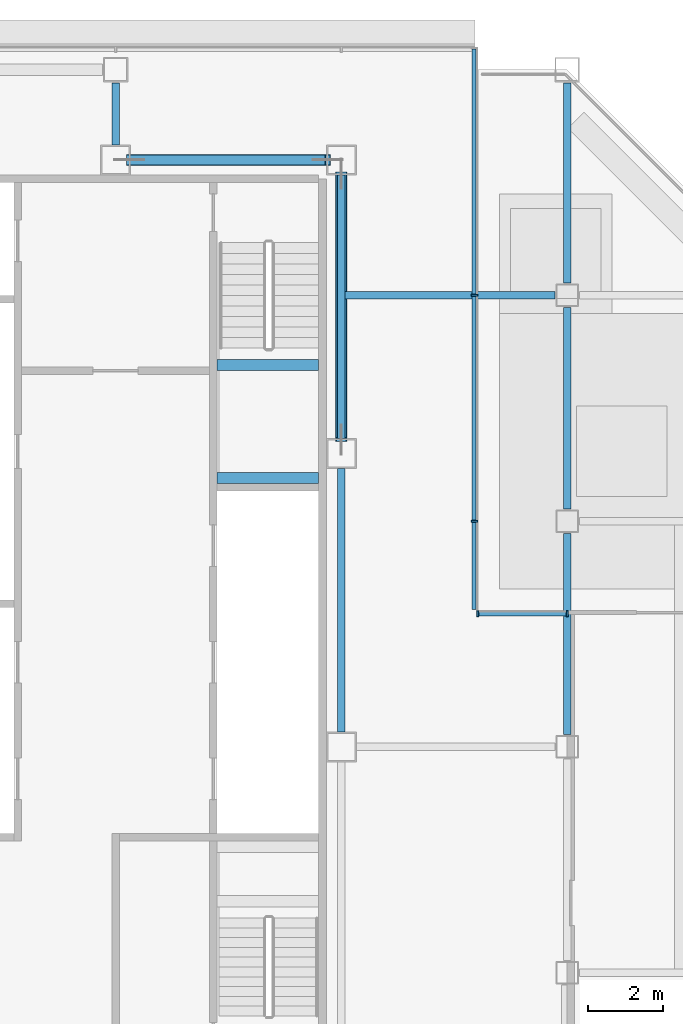
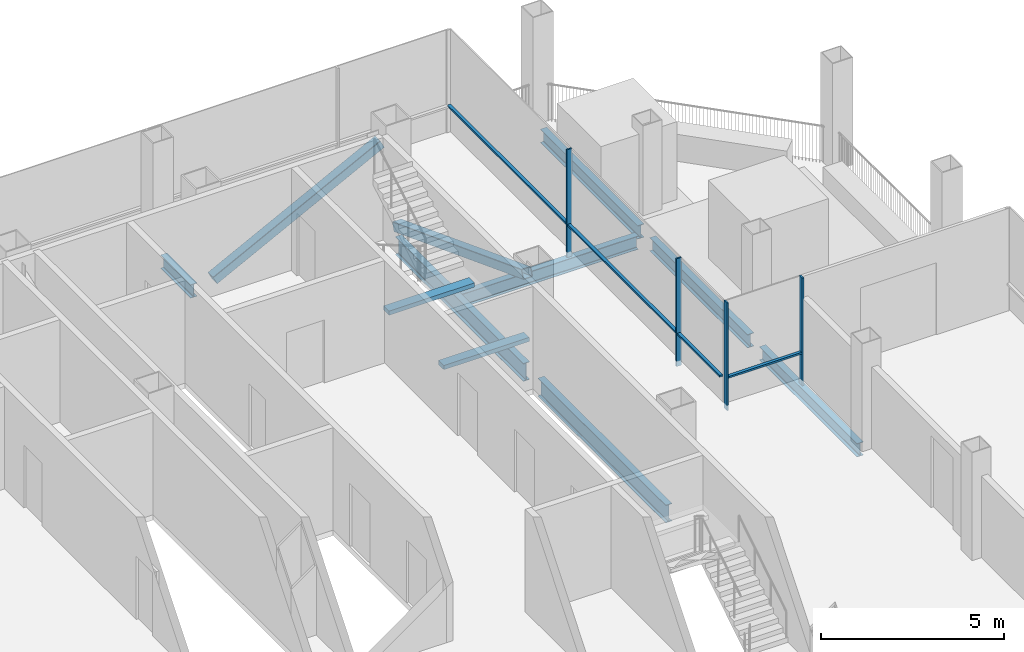
# One storey, part 14 of 29: 9 beams, 8 members, 2 elements without a shape of their own.
"""IFC4 building model written with IfcOpenShell, lengths in metres."""

from ifc_helpers import new_model, si_unit, direction, frame, origin, origin_2d, place, context, subcontext, project, spatial, rectangle, hollow_rectangle, i_section, extrude, material, material_profile, profile_set, type_object, element, aggregate, save


model = new_model("IFC4")

# Units and contexts
model_context = context("Model", 3, precision=1e-05, world=origin(), true_north=direction((0.0, 1.0)))
body_context = subcontext(model_context, "Body", "Model", "MODEL_VIEW")
ifc_project = project(units=[si_unit("LENGTHUNIT", "METRE"), si_unit("AREAUNIT", "SQUARE_METRE"), si_unit("VOLUMEUNIT", "CUBIC_METRE"), si_unit("PLANEANGLEUNIT", "RADIAN"), si_unit("MASSUNIT", "GRAM", prefix="KILO")], contexts=[model_context])

# Site, building, storey
site_placement = place(None, origin())
site = spatial("IfcSite", under=ifc_project, at=site_placement, CompositionType="ELEMENT")
building_placement = place(site_placement, origin())
building = spatial("IfcBuilding", under=site, at=building_placement, Name="Sorahane Residences", CompositionType="ELEMENT")
storey_placement = place(building_placement, frame((0.0, 0.0, 199.199951171875)))
storey = spatial("IfcBuildingStorey", under=building, at=storey_placement, Name="L46", CompositionType="ELEMENT", Elevation=199.199951171875)

# Members
ifc_material_1 = material(Name="Steel Q355B", Category="steel")
ifc_material_profile_1 = material_profile(ifc_material_1, hollow_rectangle(XDim=0.300048828125, YDim=0.300048828125, WallThickness=0.01611328125, InnerFilletRadius=0.008056640625, OuterFilletRadius=0.02392578125, at=origin_2d()), Name="RHS 300x300x16")
ifc_profile_set_1 = profile_set([ifc_material_profile_1], Name="Steel Q355B")
member_type_1 = type_object("IfcMemberType", Name="Core brace RHS 300x300x16 Q355B", PredefinedType="BRACE", material=ifc_profile_set_1)
member_1_placement = place(storey_placement, frame((36.35888671875, 45.60009765625, 0.12890625), z_axis=(0.889590046837, 0.0, 0.45675983686), x_axis=(0.0, 1.0, 0.0)))
element("IfcMember", 1, at=member_1_placement, inside=storey, type_object=member_type_1, Name="Core brace L46 y45.6-6", PredefinedType="BRACE", context=body_context, shape_type="SweptSolid", body=[
    extrude(hollow_rectangle(XDim=0.300048828125, YDim=0.300048828125, WallThickness=0.01611328125, InnerFilletRadius=0.008056640625, OuterFilletRadius=0.02392578125, at=origin_2d()), origin(), (0.0, 0.0, 1.0), 5.937744140625),
])
member_2_placement = place(storey_placement, frame((42.0, 45.232177734375, 0.1376953125), z_axis=(0.0, -0.934335722983, 0.356394103147), x_axis=(1.0, 0.0, 0.0)))
element("IfcMember", 2, at=member_2_placement, inside=storey, type_object=member_type_1, Name="Core brace L46 x42-3", PredefinedType="BRACE", context=body_context, shape_type="SweptSolid", body=[
    extrude(hollow_rectangle(XDim=0.300048828125, YDim=0.300048828125, WallThickness=0.01611328125, InnerFilletRadius=0.008056640625, OuterFilletRadius=0.02392578125, at=origin_2d()), origin(), (0.0, 0.0, 1.0), 7.560791015625),
])

# Curtain wall, members
ifc_material_2 = material(Name="Dark low-e glass and black anodised aluminium", Category="aluminium")
curtain_wall_type = type_object("IfcCurtainWallType", Name="Curtain wall CW-1 Typical unitised wall", PredefinedType="NOTDEFINED", material=ifc_material_2)
curtain_wall_1_placement = place(storey_placement, origin())
curtain_wall_1 = element("IfcCurtainWall", 3, at=curtain_wall_1_placement, inside=storey, type_object=curtain_wall_type, Name="CW-1 curtain wall L46 N1", PredefinedType="NOTDEFINED")
ifc_material_3 = material(Name="Black anodised aluminium", Category="aluminium")
ifc_material_profile_2 = material_profile(ifc_material_3, rectangle(XDim=0.159912109375, YDim=0.050048828125, at=origin_2d()), Name="Curtain wall mullion CW-1 black anodised aluminium 50x160")
ifc_profile_set_2 = profile_set([ifc_material_profile_2], Name="Black anodised aluminium")
member_type_2 = type_object("IfcMemberType", Name="Curtain wall mullion CW-1 black anodised aluminium 50x160", PredefinedType="MULLION", material=ifc_profile_set_2)
member_3_placement = place(storey_placement, frame((48.0, 33.5400390625, -0.179931640625), z_axis=(0.0, 0.0, 1.0), x_axis=(0.0, 1.0, 0.0)))
member_3 = element("IfcMember", 4, at=member_3_placement, type_object=member_type_2, Name="CW-1 mullion L46 N1.2", PredefinedType="MULLION", context=body_context, shape_type="SweptSolid", body=[
    extrude(rectangle(XDim=0.159912109375, YDim=0.050048828125, at=origin_2d()), origin(), (0.0, 0.0, 1.0), 3.60009765625),
])
member_4_placement = place(storey_placement, frame((45.625, 33.5400390625, -0.179931640625), z_axis=(0.0, 0.0, 1.0), x_axis=(0.0, 1.0, 0.0)))
member_4 = element("IfcMember", 5, at=member_4_placement, type_object=member_type_2, Name="CW-1 mullion L46 N1.3", PredefinedType="MULLION", context=body_context, shape_type="SweptSolid", body=[
    extrude(rectangle(XDim=0.159912109375, YDim=0.050048828125, at=origin_2d()), origin(), (0.0, 0.0, 1.0), 3.60009765625),
])

curtain_wall_2_placement = place(storey_placement, origin())
curtain_wall_2 = element("IfcCurtainWall", 6, at=curtain_wall_2_placement, inside=storey, type_object=curtain_wall_type, Name="CW-1 curtain wall L46 E2", PredefinedType="NOTDEFINED")
member_5_placement = place(storey_placement, frame((45.5400390625, 36.0, -0.179931640625), z_axis=(0.0, 0.0, 1.0), x_axis=(1.0, 0.0, 0.0)))
member_5 = element("IfcMember", 7, at=member_5_placement, type_object=member_type_2, Name="CW-1 mullion L46 E2.2", PredefinedType="MULLION", context=body_context, shape_type="SweptSolid", body=[
    extrude(rectangle(XDim=0.159912109375, YDim=0.050048828125, at=origin_2d()), origin(), (0.0, 0.0, 1.0), 3.60009765625),
])
member_6_placement = place(storey_placement, frame((45.5400390625, 42.0, -0.179931640625), z_axis=(0.0, 0.0, 1.0), x_axis=(1.0, 0.0, 0.0)))
member_6 = element("IfcMember", 8, at=member_6_placement, type_object=member_type_2, Name="CW-1 mullion L46 E2.3", PredefinedType="MULLION", context=body_context, shape_type="SweptSolid", body=[
    extrude(rectangle(XDim=0.159912109375, YDim=0.050048828125, at=origin_2d()), origin(), (0.0, 0.0, 1.0), 3.60009765625),
])

# Member
ifc_material_4 = material(Name="Black anodised aluminium", Category="aluminium")
ifc_material_profile_3 = material_profile(ifc_material_4, rectangle(XDim=0.10009765625, YDim=0.06005859375, at=origin_2d()), Name="Curtain wall transom CW-1 black anodised aluminium 60x100")
ifc_profile_set_3 = profile_set([ifc_material_profile_3], Name="Black anodised aluminium")
member_type_3 = type_object("IfcMemberType", Name="Curtain wall transom CW-1 black anodised aluminium 60x100", PredefinedType="USERDEFINED", material=ifc_profile_set_3)
member_7_placement = place(storey_placement, frame((47.97509765625, 33.530029296875, 0.900146484375), z_axis=(-1.0, 0.0, 0.0), x_axis=(0.0, -1.0, 0.0)))
member_7 = element("IfcMember", 9, at=member_7_placement, type_object=member_type_3, Name="CW-1 transom L46 N1", ObjectType="TRANSOM", PredefinedType="USERDEFINED", context=body_context, shape_type="SweptSolid", body=[
    extrude(rectangle(XDim=0.10009765625, YDim=0.06005859375, at=origin_2d()), origin(), (0.0, 0.0, 1.0), 2.3251953125),
])

aggregate(curtain_wall_1, [member_3, member_4, member_7])

member_8_placement = place(storey_placement, frame((45.530029296875, 33.64990234375, 0.900146484375), z_axis=(0.0, 1.0, 0.0), x_axis=(-1.0, 0.0, 0.0)))
member_8 = element("IfcMember", 10, at=member_8_placement, type_object=member_type_3, Name="CW-1 transom L46 E2", ObjectType="TRANSOM", PredefinedType="USERDEFINED", context=body_context, shape_type="SweptSolid", body=[
    extrude(rectangle(XDim=0.10009765625, YDim=0.06005859375, at=origin_2d()), origin(), (0.0, 0.0, 1.0), 14.900146484375),
])

aggregate(curtain_wall_2, [member_5, member_6, member_8])

# Beams
ifc_material_5 = material(Name="Concrete C40", Category="concrete")
ifc_material_profile_4 = material_profile(ifc_material_5, rectangle(XDim=0.300048828125, YDim=0.139892578125, at=origin_2d()), Name="300x140")
ifc_profile_set_4 = profile_set([ifc_material_profile_4], Name="Concrete C40")
beam_type_1 = type_object("IfcBeamType", Name="RC landing beam 300 x 140 Concrete C40", PredefinedType="BEAM", material=ifc_profile_set_4)
for number, where, z_axis, x_axis, name in (
    (11, (38.699951171875, 37.14990234375, 1.530029296875), (1.0, 0.0, 0.0), (0.0, 1.0, 0.0), "Landing beam"),
    (12, (38.699951171875, 40.14990234375, 1.530029296875), (1.0, 0.0, 0.0), (0.0, 1.0, 0.0), "Landing beam"),
):
    element("IfcBeam", number, at=place(storey_placement, frame(where, z_axis=z_axis, x_axis=x_axis)), inside=storey, type_object=beam_type_1, Name=name, PredefinedType="BEAM", context=body_context, shape_type="SweptSolid", body=[
        extrude(rectangle(XDim=0.300048828125, YDim=0.139892578125, at=origin_2d()), origin(), (0.0, 0.0, 1.0), 2.699951171875),
    ])
ifc_material_6 = material(Name="Steel Q355B", Category="steel")
ifc_material_profile_5 = material_profile(ifc_material_6, i_section(OverallWidth=0.199951171875, OverallDepth=0.449951171875, WebThickness=0.009033203125, FlangeThickness=0.013916015625, FilletRadius=0.02001953125, at=origin_2d()), Name="HN 450x200x9x14")
ifc_profile_set_5 = profile_set([ifc_material_profile_5], Name="Steel Q355B")
beam_type_2 = type_object("IfcBeamType", Name="Steel floor beam HN 450x200x9x14 Q355B", PredefinedType="BEAM", material=ifc_profile_set_5)
beam_1_placement = place(storey_placement, frame((36.0, 46.0, -0.405029296875), z_axis=(0.0, 1.0, 0.0), x_axis=(-1.0, 0.0, 0.0)))
element("IfcBeam", 13, at=beam_1_placement, inside=storey, type_object=beam_type_2, Name="Beam L46 050", PredefinedType="BEAM", context=body_context, shape_type="SweptSolid", body=[
    extrude(i_section(OverallWidth=0.199951171875, OverallDepth=0.449951171875, WebThickness=0.009033203125, FlangeThickness=0.013916015625, FilletRadius=0.02001953125, at=origin_2d()), origin(), (0.0, 0.0, 1.0), 1.64990234375),
])
for number, where, z_axis, x_axis, name in (
    (14, (48.0, 30.324951171875, -0.405029296875), (0.0, 1.0, 0.0), (-1.0, 0.0, 0.0), "Beam L46 059"),
    (15, (48.0, 36.324951171875, -0.405029296875), (0.0, 1.0, 0.0), (-1.0, 0.0, 0.0), "Beam L46 060"),
):
    element("IfcBeam", number, at=place(storey_placement, frame(where, z_axis=z_axis, x_axis=x_axis)), inside=storey, type_object=beam_type_2, Name=name, PredefinedType="BEAM", context=body_context, shape_type="SweptSolid", body=[
        extrude(i_section(OverallWidth=0.199951171875, OverallDepth=0.449951171875, WebThickness=0.009033203125, FlangeThickness=0.013916015625, FilletRadius=0.02001953125, at=origin_2d()), origin(), (0.0, 0.0, 1.0), 5.35009765625),
    ])
beam_2_placement = place(storey_placement, frame((48.0, 42.324951171875, -0.405029296875), z_axis=(0.0, 1.0, 0.0), x_axis=(-1.0, 0.0, 0.0)))
element("IfcBeam", 16, at=beam_2_placement, inside=storey, type_object=beam_type_2, Name="Beam L46 061", PredefinedType="BEAM", context=body_context, shape_type="SweptSolid", body=[
    extrude(i_section(OverallWidth=0.199951171875, OverallDepth=0.449951171875, WebThickness=0.009033203125, FlangeThickness=0.013916015625, FilletRadius=0.02001953125, at=origin_2d()), origin(), (0.0, 0.0, 1.0), 5.324951171875),
])
beam_3_placement = place(storey_placement, frame((42.10009765625, 42.0, -0.405029296875), z_axis=(1.0, 0.0, 0.0), x_axis=(0.0, 1.0, 0.0)))
element("IfcBeam", 17, at=beam_3_placement, inside=storey, type_object=beam_type_2, Name="Beam L46 087", PredefinedType="BEAM", context=body_context, shape_type="SweptSolid", body=[
    extrude(i_section(OverallWidth=0.199951171875, OverallDepth=0.449951171875, WebThickness=0.009033203125, FlangeThickness=0.013916015625, FilletRadius=0.02001953125, at=origin_2d()), origin(), (0.0, 0.0, 1.0), 5.574951171875),
])
ifc_material_7 = material(Name="Steel Q355B", Category="steel")
ifc_material_profile_6 = material_profile(ifc_material_7, i_section(OverallWidth=0.199951171875, OverallDepth=0.60009765625, WebThickness=0.010986328125, FlangeThickness=0.01708984375, FilletRadius=0.02392578125, at=origin_2d()), Name="HN 600x200x11x17")
ifc_profile_set_6 = profile_set([ifc_material_profile_6], Name="Steel Q355B")
beam_type_3 = type_object("IfcBeamType", Name="Steel floor beam HN 600x200x11x17 Q355B", PredefinedType="BEAM", material=ifc_profile_set_6)
for number, where, z_axis, x_axis, name in (
    (18, (42.0, 30.39990234375, -0.47998046875), (0.0, 1.0, 0.0), (-1.0, 0.0, 0.0), "Beam L46 054"),
    (19, (42.0, 38.199951171875, -0.47998046875), (0.0, 1.0, 0.0), (-1.0, 0.0, 0.0), "Beam L46 055"),
):
    element("IfcBeam", number, at=place(storey_placement, frame(where, z_axis=z_axis, x_axis=x_axis)), inside=storey, type_object=beam_type_3, Name=name, PredefinedType="BEAM", context=body_context, shape_type="SweptSolid", body=[
        extrude(i_section(OverallWidth=0.199951171875, OverallDepth=0.60009765625, WebThickness=0.010986328125, FlangeThickness=0.01708984375, FilletRadius=0.02392578125, at=origin_2d()), origin(), (0.0, 0.0, 1.0), 7.0),
    ])

save(model, "model.ifc")
